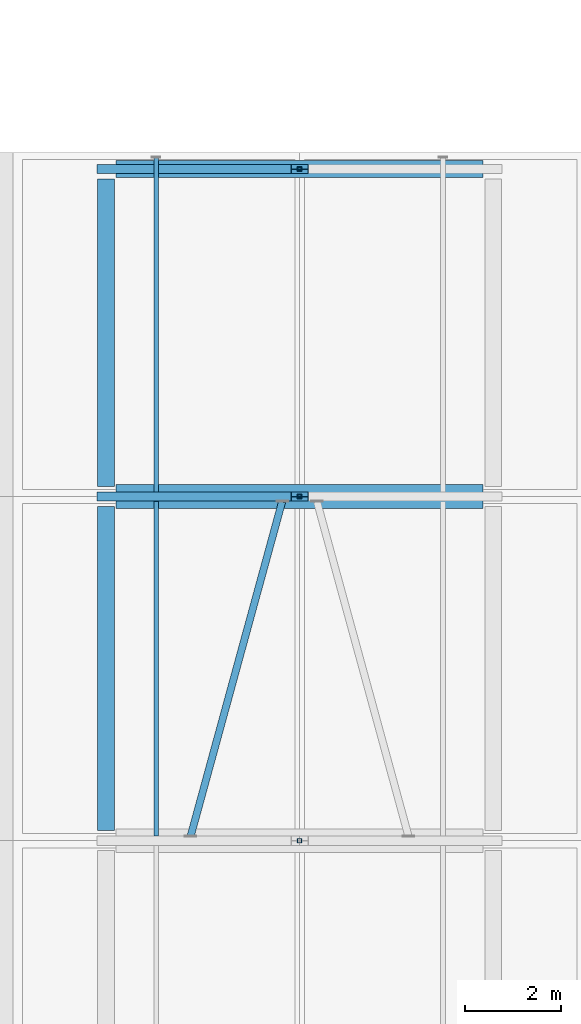
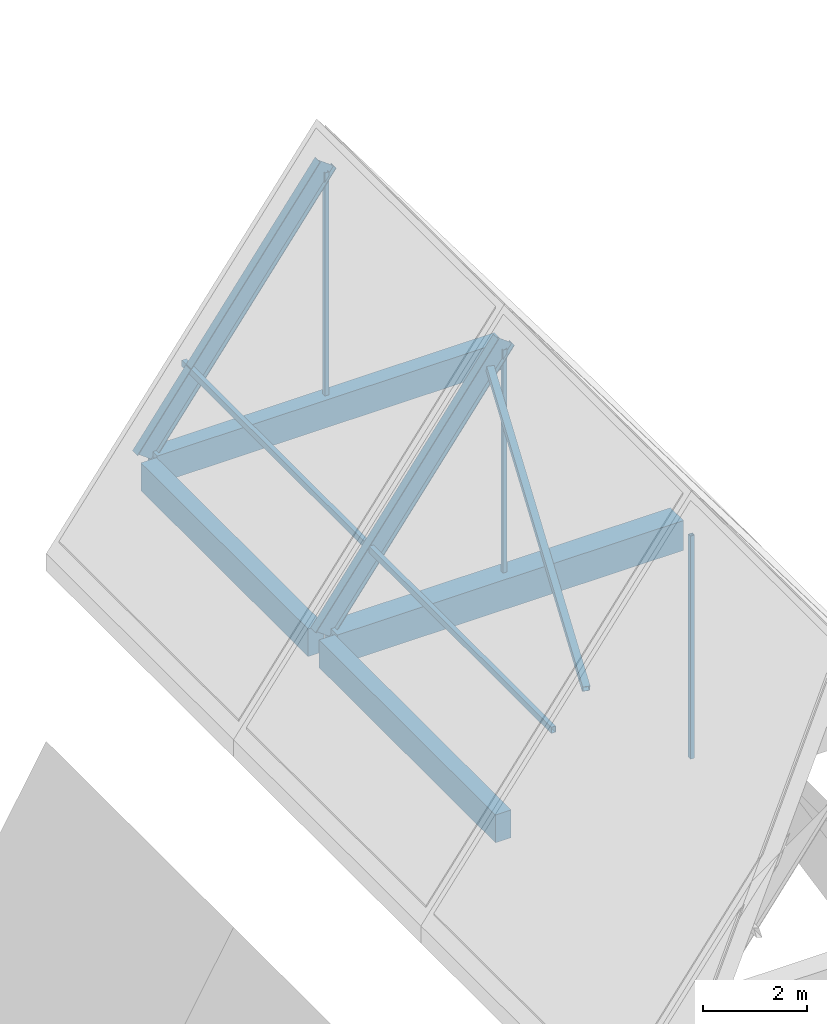
# One storey, part 7 of 29: 8 members, 4 beams.
"""IFC4 building model written with IfcOpenShell, lengths in metres."""

from ifc_helpers import new_model, si_unit, derived_unit, direction, frame, origin, origin_2d, place, context, subcontext, project, spatial, rectangle, hollow_rectangle, i_section, extrude, material, material_profile, profile_set, type_object, element, save


model = new_model("IFC4")

# Units and contexts
model_context = context("Model", 3, precision=1e-05, world=origin(), true_north=direction((0.0, 1.0)))
body_context = subcontext(model_context, "Body", "Model", "MODEL_VIEW")
ifc_project = project(units=[si_unit("LENGTHUNIT", "METRE"), si_unit("AREAUNIT", "SQUARE_METRE"), si_unit("VOLUMEUNIT", "CUBIC_METRE"), si_unit("PLANEANGLEUNIT", "RADIAN"), si_unit("MASSUNIT", "GRAM", prefix="KILO"), derived_unit("THERMALTRANSMITTANCEUNIT", [(si_unit("MASSUNIT", "GRAM", prefix="KILO"), 1), (si_unit("TIMEUNIT", "SECOND"), -3), (si_unit("THERMODYNAMICTEMPERATUREUNIT", "KELVIN"), -1)])], contexts=[model_context])

# Site, building, storey
site_placement = place(None, origin())
site = spatial("IfcSite", under=ifc_project, at=site_placement, CompositionType="ELEMENT")
building_placement = place(site_placement, origin())
building = spatial("IfcBuilding", under=site, at=building_placement, Name="Ochrekiln Boulevard Commons", CompositionType="ELEMENT")
storey_placement = place(building_placement, frame((0.0, 0.0, 37.27490234375)))
storey = spatial("IfcBuildingStorey", under=building, at=storey_placement, Name="L11", CompositionType="ELEMENT", Elevation=37.27490234375)

# Beam
ifc_material_1 = material(Name="Concrete C40/50", Category="concrete")
ifc_material_profile_1 = material_profile(ifc_material_1, rectangle(XDim=0.5, YDim=0.699951171875, at=origin_2d()), Name="RC-BM-500x700")
ifc_profile_set_1 = profile_set([ifc_material_profile_1], Name="Concrete C40/50")
beam_type_1 = type_object("IfcBeamType", Name="BM-RC-500x700", PredefinedType="BEAM", material=ifc_profile_set_1)
beam_1_placement = place(storey_placement, frame((156.360107421875, 43.199951171875, -0.64990234375), z_axis=(1.0, 0.0, 0.0), x_axis=(0.0, 1.0, 0.0)))
element("IfcBeam", 1, at=beam_1_placement, inside=storey, type_object=beam_type_1, Name="Block C L11 Beam B-5070 X7", PredefinedType="BEAM", context=body_context, shape_type="SweptSolid", body=[
    extrude(rectangle(XDim=0.5, YDim=0.699951171875, at=origin_2d()), origin(), (0.0, 0.0, 1.0), 7.679931640625),
])

# Members
ifc_material_2 = material(Name="Steel A500 Grade C", Category="steel")
ifc_material_profile_2 = material_profile(ifc_material_2, hollow_rectangle(XDim=0.14990234375, YDim=0.14990234375, WallThickness=0.009521484375, at=origin_2d()), Name="HSS150X150X9.5")
ifc_profile_set_2 = profile_set([ifc_material_profile_2], Name="Steel A500 Grade C")
member_type_1 = type_object("IfcMemberType", Name="MEM-BRC-HSS150", PredefinedType="BRACE", material=ifc_profile_set_2)
member_placement = place(storey_placement, frame((157.919921875, 36.090087890625, 2.054931640625), z_axis=(0.248542766862, 0.908658451157, 0.335509034428), x_axis=(-0.964567699772, 0.263835464934, 0.0)))
element("IfcMember", 2, at=member_placement, inside=storey, type_object=member_type_1, Name="Block C Roof Diagonal Brace 6W", PredefinedType="BRACE", context=body_context, shape_type="SweptSolid", body=[
    extrude(hollow_rectangle(XDim=0.14990234375, YDim=0.14990234375, WallThickness=0.009521484375, at=origin_2d()), origin(), (0.0, 0.0, 1.0), 7.7255859375),
])
ifc_material_profile_3 = material_profile(ifc_material_2, hollow_rectangle(XDim=0.090087890625, YDim=0.090087890625, WallThickness=0.00634765625, at=origin_2d()), Name="HSS90X90X6.4")
ifc_profile_set_3 = profile_set([ifc_material_profile_3], Name="Steel A500 Grade C")
member_type_2 = type_object("IfcMemberType", Name="MEM-PST-HSS90", PredefinedType="POST", material=ifc_profile_set_3)
for number, where, z_axis, x_axis, name in (
    (3, (160.199951171875, 36.0, -0.2998046875), (0.0, 0.0, 1.0), (1.0, 0.0, 0.0), "Block C Attic Gable Ridge King-Post 6"),
    (4, (160.199951171875, 43.199951171875, -0.2998046875), (0.0, 0.0, 1.0), (1.0, 0.0, 0.0), "Block C Attic Gable Ridge King-Post 7"),
    (5, (160.199951171875, 50.050048828125, -0.2998046875), (0.0, 0.0, 1.0), (1.0, 0.0, 0.0), "Block C Attic Gable Ridge King-Post 8"),
):
    element("IfcMember", number, at=place(storey_placement, frame(where, z_axis=z_axis, x_axis=x_axis)), inside=storey, type_object=member_type_2, Name=name, PredefinedType="POST", context=body_context, shape_type="SweptSolid", body=[
        extrude(hollow_rectangle(XDim=0.090087890625, YDim=0.090087890625, WallThickness=0.00634765625, at=origin_2d()), origin(), (0.0, 0.0, 1.0), 5.231201171875),
    ])
ifc_material_profile_4 = material_profile(ifc_material_2, hollow_rectangle(XDim=0.10009765625, YDim=0.14990234375, WallThickness=0.00634765625, at=origin_2d()), Name="HSS150X100X6.4")
ifc_profile_set_4 = profile_set([ifc_material_profile_4], Name="Steel A500 Grade C")
member_type_3 = type_object("IfcMemberType", Name="MEM-PUR-HSS150X100", PredefinedType="PURLIN", material=ifc_profile_set_4)
for number, where, z_axis, x_axis, name in (
    (6, (157.199951171875, 36.10009765625, 1.3408203125), (0.0, 1.0, 0.0), (-1.0, 0.0, 0.0), "Block C Roof Purlin 6W.1"),
    (7, (157.199951171875, 43.300048828125, 1.3408203125), (0.0, 1.0, 0.0), (-1.0, 0.0, 0.0), "Block C Roof Purlin 7W.1"),
):
    element("IfcMember", number, at=place(storey_placement, frame(where, z_axis=z_axis, x_axis=x_axis)), inside=storey, type_object=member_type_3, Name=name, PredefinedType="PURLIN", context=body_context, shape_type="SweptSolid", body=[
        extrude(hollow_rectangle(XDim=0.10009765625, YDim=0.14990234375, WallThickness=0.00634765625, at=origin_2d()), origin(), (0.0, 0.0, 1.0), 7.0),
    ])
ifc_material_3 = material(Name="Steel A992 Grade 50", Category="steel")
ifc_material_profile_5 = material_profile(ifc_material_3, i_section(OverallWidth=0.19091796875, OverallDepth=0.45703125, WebThickness=0.009033203125, FlangeThickness=0.014404296875, at=origin_2d()), Name="W18X50")
ifc_profile_set_5 = profile_set([ifc_material_profile_5], Name="Steel A992 Grade 50")
member_type_4 = type_object("IfcMemberType", Name="MEM-RAF-W18X50", PredefinedType="RAFTER", material=ifc_profile_set_5)
for number, where, z_axis, x_axis, name in (
    (8, (156.14990234375, 43.199951171875, -0.33447265625), (0.595230124903, 0.0, 0.803555286467), (0.0, 1.0, 0.0), "Block C Steep Gable Rafter 7W"),
    (9, (156.14990234375, 50.050048828125, -0.33447265625), (0.595230124903, 0.0, 0.803555286467), (0.0, 1.0, 0.0), "Block C Steep Gable Rafter 8W"),
):
    element("IfcMember", number, at=place(storey_placement, frame(where, z_axis=z_axis, x_axis=x_axis)), inside=storey, type_object=member_type_4, Name=name, PredefinedType="RAFTER", context=body_context, shape_type="SweptSolid", body=[
        extrude(i_section(OverallWidth=0.19091796875, OverallDepth=0.45703125, WebThickness=0.009033203125, FlangeThickness=0.014404296875, at=origin_2d()), origin(), (0.0, 0.0, 1.0), 6.80419921875),
    ])

# Beams
ifc_material_profile_6 = material_profile(ifc_material_1, rectangle(XDim=0.35009765625, YDim=0.64990234375, at=origin_2d()), Name="RC-SPN-350x650")
ifc_profile_set_6 = profile_set([ifc_material_profile_6], Name="Concrete C40/50")
beam_type_2 = type_object("IfcBeamType", Name="SPN-RC-350x650", PredefinedType="SPANDREL", material=ifc_profile_set_6)
beam_2_placement = place(storey_placement, frame((156.360107421875, 50.050048828125, -0.625), z_axis=(1.0, 0.0, 0.0), x_axis=(0.0, 1.0, 0.0)))
element("IfcBeam", 10, at=beam_2_placement, inside=storey, type_object=beam_type_2, Name="Block C L11 Beam SP-3565 X8", PredefinedType="SPANDREL", context=body_context, shape_type="SweptSolid", body=[
    extrude(rectangle(XDim=0.35009765625, YDim=0.64990234375, at=origin_2d()), origin(), (0.0, 0.0, 1.0), 7.679931640625),
])
beam_3_placement = place(storey_placement, frame((156.14990234375, 36.2099609375, -0.625), z_axis=(0.0, 1.0, 0.0), x_axis=(-1.0, 0.0, 0.0)))
element("IfcBeam", 11, at=beam_3_placement, inside=storey, type_object=beam_type_2, Name="Block C L11 Beam SP-3565 Y14", PredefinedType="SPANDREL", context=body_context, shape_type="SweptSolid", body=[
    extrude(rectangle(XDim=0.35009765625, YDim=0.64990234375, at=origin_2d()), origin(), (0.0, 0.0, 1.0), 6.780029296875),
])
beam_4_placement = place(storey_placement, frame((156.14990234375, 43.409912109375, -0.625), z_axis=(0.0, 1.0, 0.0), x_axis=(-1.0, 0.0, 0.0)))
element("IfcBeam", 12, at=beam_4_placement, inside=storey, type_object=beam_type_2, Name="Block C L11 Beam SP-3565 Y15", PredefinedType="SPANDREL", context=body_context, shape_type="SweptSolid", body=[
    extrude(rectangle(XDim=0.35009765625, YDim=0.64990234375, at=origin_2d()), origin(), (0.0, 0.0, 1.0), 6.43017578125),
])

save(model, "model.ifc")
